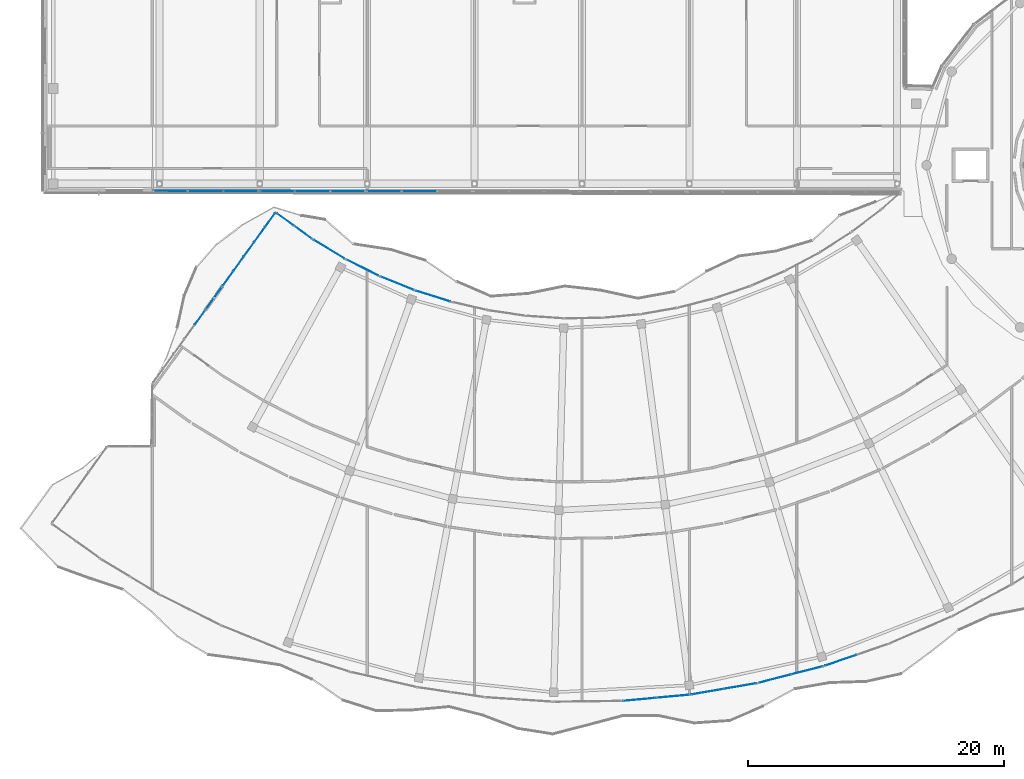
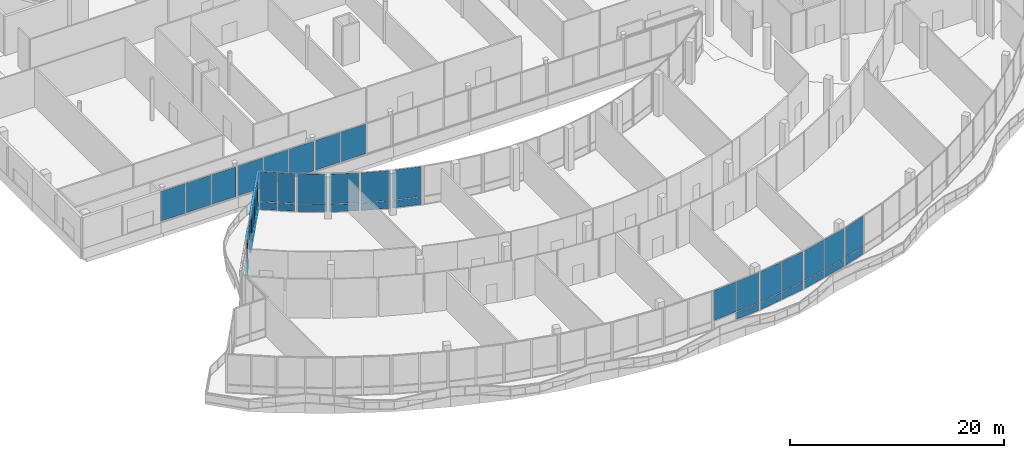
# One storey, part 115 of 155: 53 plates, 15 elements without a shape of their own.
"""IFC4 building model written with IfcOpenShell, lengths in metres."""

from ifc_helpers import new_model, si_unit, direction, frame, origin, origin_2d, place, context, subcontext, project, spatial, rectangle, extrude, material, layer, layer_set, type_object, element, aggregate, save


model = new_model("IFC4")

# Units and contexts
model_context = context("Model", 3, precision=1e-05, world=origin(), true_north=direction((0.0, 1.0)))
body_context = subcontext(model_context, "Body", "Model", "MODEL_VIEW")
ifc_project = project(units=[si_unit("LENGTHUNIT", "METRE"), si_unit("AREAUNIT", "SQUARE_METRE"), si_unit("VOLUMEUNIT", "CUBIC_METRE"), si_unit("PLANEANGLEUNIT", "RADIAN"), si_unit("MASSUNIT", "GRAM", prefix="KILO")], contexts=[model_context])

# Site, building, storey
site_placement = place(None, origin())
site = spatial("IfcSite", under=ifc_project, at=site_placement, CompositionType="ELEMENT")
building_placement = place(site_placement, origin())
building = spatial("IfcBuilding", under=site, at=building_placement, Name="Selatvlak General Hospital", CompositionType="ELEMENT")
storey_placement = place(building_placement, frame((0.0, 0.0, 10.199951171875)))
storey = spatial("IfcBuildingStorey", under=building, at=storey_placement, Name="L02", CompositionType="ELEMENT", Elevation=10.199951171875)

# Curtain wall, plates
ifc_material = material(Name="Solar-control Low-E double glazing", Category="glass")
curtain_wall_type_1 = type_object("IfcCurtainWallType", Name="CW-CW-02", PredefinedType="USERDEFINED", material=ifc_material)
curtain_wall_1_placement = place(storey_placement, origin())
curtain_wall_1 = element("IfcCurtainWall", 1, at=curtain_wall_1_placement, inside=storey, type_object=curtain_wall_type_1, Name="Glazed facade curtain wall CW-L02-0302", ObjectType="UNITISED CURTAIN WALL", PredefinedType="USERDEFINED")
ifc_layer = layer(ifc_material, 0.028076171875, Name="Solar-control Low-E double glazing", Category="glass")
ifc_layer_set = layer_set([ifc_layer], Name="Solar-control Low-E double glazing")
plate_type = type_object("IfcPlateType", Name="CWP-01", PredefinedType="CURTAIN_PANEL", material=ifc_layer_set)
plate_1_placement = place(storey_placement, frame((76.651123046875, 15.278564453125, 0.06494140625), z_axis=(0.0, 0.0, 1.0), x_axis=(-0.945848129563, -0.324609481996, 0.0)))
plate_1 = element("IfcPlate", 2, at=plate_1_placement, type_object=plate_type, Name="CW-02 panel 2.1", PredefinedType="CURTAIN_PANEL", context=body_context, shape_type="SweptSolid", body=[
    extrude(rectangle(XDim=2.547119140625, YDim=0.028076171875, at=origin_2d()), origin(), (0.0, 0.0, 1.0), 0.8525390625),
])
plate_2_placement = place(storey_placement, frame((76.651123046875, 15.278564453125, 0.982421875), z_axis=(0.0, 0.0, 1.0), x_axis=(-0.945848129563, -0.324609481996, 0.0)))
plate_2 = element("IfcPlate", 3, at=plate_2_placement, type_object=plate_type, Name="CW-02 panel 2.2", PredefinedType="CURTAIN_PANEL", context=body_context, shape_type="SweptSolid", body=[
    extrude(rectangle(XDim=2.547119140625, YDim=0.028076171875, at=origin_2d()), origin(), (0.0, 0.0, 1.0), 3.41259765625),
])
aggregate(curtain_wall_1, [plate_1, plate_2])

curtain_wall_type_2 = type_object("IfcCurtainWallType", Name="CW-CW-01", PredefinedType="USERDEFINED", material=ifc_material)
curtain_wall_2_placement = place(storey_placement, origin())
curtain_wall_2 = element("IfcCurtainWall", 4, at=curtain_wall_2_placement, inside=storey, type_object=curtain_wall_type_2, Name="Glazed facade curtain wall CW-L02-0303", ObjectType="UNITISED CURTAIN WALL", PredefinedType="USERDEFINED")
plate_3_placement = place(storey_placement, frame((74.012939453125, 14.49072265625, 0.06494140625), z_axis=(0.0, 0.0, 1.0), x_axis=(-0.968620644098, -0.248543854938, 0.0)))
plate_3 = element("IfcPlate", 5, at=plate_3_placement, type_object=plate_type, Name="CW-01 panel 1.1", PredefinedType="CURTAIN_PANEL", context=body_context, shape_type="SweptSolid", body=[
    extrude(rectangle(XDim=2.5439453125, YDim=0.028076171875, at=origin_2d()), origin(), (0.0, 0.0, 1.0), 0.8525390625),
])
plate_4_placement = place(storey_placement, frame((74.012939453125, 14.49072265625, 0.982421875), z_axis=(0.0, 0.0, 1.0), x_axis=(-0.968620644098, -0.248543854938, 0.0)))
plate_4 = element("IfcPlate", 6, at=plate_4_placement, type_object=plate_type, Name="CW-01 panel 1.2", PredefinedType="CURTAIN_PANEL", context=body_context, shape_type="SweptSolid", body=[
    extrude(rectangle(XDim=2.5439453125, YDim=0.028076171875, at=origin_2d()), origin(), (0.0, 0.0, 1.0), 3.41259765625),
])
plate_5_placement = place(storey_placement, frame((71.486083984375, 13.84228515625, 0.06494140625), z_axis=(0.0, 0.0, 1.0), x_axis=(-0.968620644098, -0.248543854938, 0.0)))
plate_5 = element("IfcPlate", 7, at=plate_5_placement, type_object=plate_type, Name="CW-01 panel 2.1", PredefinedType="CURTAIN_PANEL", context=body_context, shape_type="SweptSolid", body=[
    extrude(rectangle(XDim=2.5439453125, YDim=0.028076171875, at=origin_2d()), origin(), (0.0, 0.0, 1.0), 0.8525390625),
])
plate_6_placement = place(storey_placement, frame((71.486083984375, 13.84228515625, 0.982421875), z_axis=(0.0, 0.0, 1.0), x_axis=(-0.968620644098, -0.248543854938, 0.0)))
plate_6 = element("IfcPlate", 8, at=plate_6_placement, type_object=plate_type, Name="CW-01 panel 2.2", PredefinedType="CURTAIN_PANEL", context=body_context, shape_type="SweptSolid", body=[
    extrude(rectangle(XDim=2.5439453125, YDim=0.028076171875, at=origin_2d()), origin(), (0.0, 0.0, 1.0), 3.41259765625),
])
aggregate(curtain_wall_2, [plate_3, plate_4, plate_5, plate_6])

curtain_wall_3_placement = place(storey_placement, origin())
curtain_wall_3 = element("IfcCurtainWall", 9, at=curtain_wall_3_placement, inside=storey, type_object=curtain_wall_type_1, Name="Glazed facade curtain wall CW-L02-0304", ObjectType="UNITISED CURTAIN WALL", PredefinedType="USERDEFINED")
plate_7_placement = place(storey_placement, frame((68.7939453125, 13.265380859375, 0.06494140625), z_axis=(0.0, 0.0, 1.0), x_axis=(-0.985299104881, -0.170838151242, 0.0)))
plate_7 = element("IfcPlate", 10, at=plate_7_placement, type_object=plate_type, Name="CW-02 panel 1.1", PredefinedType="CURTAIN_PANEL", context=body_context, shape_type="SweptSolid", body=[
    extrude(rectangle(XDim=2.54541015625, YDim=0.028076171875, at=origin_2d()), origin(), (0.0, 0.0, 1.0), 0.8525390625),
])
plate_8_placement = place(storey_placement, frame((68.7939453125, 13.265380859375, 0.982421875), z_axis=(0.0, 0.0, 1.0), x_axis=(-0.985299104881, -0.170838151242, 0.0)))
plate_8 = element("IfcPlate", 11, at=plate_8_placement, type_object=plate_type, Name="CW-02 panel 1.2", PredefinedType="CURTAIN_PANEL", context=body_context, shape_type="SweptSolid", body=[
    extrude(rectangle(XDim=2.54541015625, YDim=0.028076171875, at=origin_2d()), origin(), (0.0, 0.0, 1.0), 3.41259765625),
])
plate_9_placement = place(storey_placement, frame((66.221923828125, 12.819580078125, 0.06494140625), z_axis=(0.0, 0.0, 1.0), x_axis=(-0.985299104881, -0.170838151242, 0.0)))
plate_9 = element("IfcPlate", 12, at=plate_9_placement, type_object=plate_type, Name="CW-02 panel 2.1", PredefinedType="CURTAIN_PANEL", context=body_context, shape_type="SweptSolid", body=[
    extrude(rectangle(XDim=2.54541015625, YDim=0.028076171875, at=origin_2d()), origin(), (0.0, 0.0, 1.0), 0.8525390625),
])
plate_10_placement = place(storey_placement, frame((66.221923828125, 12.819580078125, 0.982421875), z_axis=(0.0, 0.0, 1.0), x_axis=(-0.985299104881, -0.170838151242, 0.0)))
plate_10 = element("IfcPlate", 13, at=plate_10_placement, type_object=plate_type, Name="CW-02 panel 2.2", PredefinedType="CURTAIN_PANEL", context=body_context, shape_type="SweptSolid", body=[
    extrude(rectangle(XDim=2.54541015625, YDim=0.028076171875, at=origin_2d()), origin(), (0.0, 0.0, 1.0), 3.41259765625),
])
aggregate(curtain_wall_3, [plate_7, plate_8, plate_9, plate_10])

curtain_wall_4_placement = place(storey_placement, origin())
curtain_wall_4 = element("IfcCurtainWall", 14, at=curtain_wall_4_placement, inside=storey, type_object=curtain_wall_type_2, Name="Glazed facade curtain wall CW-L02-0305", ObjectType="UNITISED CURTAIN WALL", PredefinedType="USERDEFINED")
plate_11_placement = place(storey_placement, frame((63.491455078125, 12.45849609375, 0.06494140625), z_axis=(0.0, 0.0, 1.0), x_axis=(-0.995731988381, -0.092291967773, 0.0)))
plate_11 = element("IfcPlate", 15, at=plate_11_placement, type_object=plate_type, Name="CW-01 panel 1.1", PredefinedType="CURTAIN_PANEL", context=body_context, shape_type="SweptSolid", body=[
    extrude(rectangle(XDim=2.54638671875, YDim=0.028076171875, at=origin_2d()), origin(), (0.0, 0.0, 1.0), 0.8525390625),
])
plate_12_placement = place(storey_placement, frame((63.491455078125, 12.45849609375, 0.982421875), z_axis=(0.0, 0.0, 1.0), x_axis=(-0.995731988381, -0.092291967773, 0.0)))
plate_12 = element("IfcPlate", 16, at=plate_12_placement, type_object=plate_type, Name="CW-01 panel 1.2", PredefinedType="CURTAIN_PANEL", context=body_context, shape_type="SweptSolid", body=[
    extrude(rectangle(XDim=2.54638671875, YDim=0.028076171875, at=origin_2d()), origin(), (0.0, 0.0, 1.0), 3.41259765625),
])
plate_13_placement = place(storey_placement, frame((60.891357421875, 12.217529296875, 0.982421875), z_axis=(0.0, 0.0, 1.0), x_axis=(-0.995731988381, -0.092291967773, 0.0)))
plate_13 = element("IfcPlate", 17, at=plate_13_placement, type_object=plate_type, Name="CW-01 panel 2.2", PredefinedType="CURTAIN_PANEL", context=body_context, shape_type="SweptSolid", body=[
    extrude(rectangle(XDim=2.54638671875, YDim=0.028076171875, at=origin_2d()), origin(), (0.0, 0.0, 1.0), 3.41259765625),
])
aggregate(curtain_wall_4, [plate_11, plate_12, plate_13])

curtain_wall_5_placement = place(storey_placement, origin())
curtain_wall_5 = element("IfcCurtainWall", 18, at=curtain_wall_5_placement, inside=storey, type_object=curtain_wall_type_1, Name="Glazed facade curtain wall CW-L02-0318", ObjectType="UNITISED CURTAIN WALL", PredefinedType="USERDEFINED")
plate_14_placement = place(storey_placement, frame((27.29638671875, 43.158203125, 2.38525390625), z_axis=(0.0, 0.0, 1.0), x_axis=(0.583236596029, 0.812302328602, 0.0)))
plate_14 = element("IfcPlate", 19, at=plate_14_placement, type_object=plate_type, Name="CW-02 panel 1.1", PredefinedType="CURTAIN_PANEL", context=body_context, shape_type="SweptSolid", body=[
    extrude(rectangle(XDim=1.03759765625, YDim=0.028076171875, at=origin_2d()), origin(), (0.0, 0.0, 1.0), 2.010009765625),
])
plate_15_placement = place(storey_placement, frame((27.939453125, 44.0537109375, 2.38525390625), z_axis=(0.0, 0.0, 1.0), x_axis=(0.583236596029, 0.812302328602, 0.0)))
plate_15 = element("IfcPlate", 20, at=plate_15_placement, type_object=plate_type, Name="CW-02 panel 2.1", PredefinedType="CURTAIN_PANEL", context=body_context, shape_type="SweptSolid", body=[
    extrude(rectangle(XDim=1.03759765625, YDim=0.028076171875, at=origin_2d()), origin(), (0.0, 0.0, 1.0), 2.010009765625),
])
aggregate(curtain_wall_5, [plate_14, plate_15])

curtain_wall_6_placement = place(storey_placement, origin())
curtain_wall_6 = element("IfcCurtainWall", 21, at=curtain_wall_6_placement, inside=storey, type_object=curtain_wall_type_2, Name="Glazed facade curtain wall CW-L02-0319", ObjectType="UNITISED CURTAIN WALL", PredefinedType="USERDEFINED")
plate_16_placement = place(storey_placement, frame((26.5185546875, 42.076904296875, 0.06494140625), z_axis=(0.0, 0.0, 1.0), x_axis=(0.583929474196, 0.81180439095, 0.0)))
plate_16 = element("IfcPlate", 22, at=plate_16_placement, type_object=plate_type, Name="CW-01 panel 5.1", PredefinedType="CURTAIN_PANEL", context=body_context, shape_type="SweptSolid", body=[
    extrude(rectangle(XDim=1.306884765625, YDim=0.028076171875, at=origin_2d()), origin(), (0.0, 0.0, 1.0), 0.802490234375),
])
plate_17_placement = place(storey_placement, frame((26.5185546875, 42.076904296875, 0.9326171875), z_axis=(0.0, 0.0, 1.0), x_axis=(0.583929474196, 0.81180439095, 0.0)))
plate_17 = element("IfcPlate", 23, at=plate_17_placement, type_object=plate_type, Name="CW-01 panel 5.2", PredefinedType="CURTAIN_PANEL", context=body_context, shape_type="SweptSolid", body=[
    extrude(rectangle(XDim=1.306884765625, YDim=0.028076171875, at=origin_2d()), origin(), (0.0, 0.0, 1.0), 2.844970703125),
])
plate_18_placement = place(storey_placement, frame((26.5185546875, 42.076904296875, 3.8427734375), z_axis=(0.0, 0.0, 1.0), x_axis=(0.583929474196, 0.81180439095, 0.0)))
plate_18 = element("IfcPlate", 24, at=plate_18_placement, type_object=plate_type, Name="CW-01 panel 5.3", PredefinedType="CURTAIN_PANEL", context=body_context, shape_type="SweptSolid", body=[
    extrude(rectangle(XDim=1.306884765625, YDim=0.028076171875, at=origin_2d()), origin(), (0.0, 0.0, 1.0), 0.552490234375),
])
aggregate(curtain_wall_6, [plate_16, plate_17, plate_18])

curtain_wall_7_placement = place(storey_placement, origin())
curtain_wall_7 = element("IfcCurtainWall", 25, at=curtain_wall_7_placement, inside=storey, type_object=curtain_wall_type_2, Name="Glazed facade curtain wall CW-L02-0320", ObjectType="UNITISED CURTAIN WALL", PredefinedType="USERDEFINED")
plate_19_placement = place(storey_placement, frame((28.720458984375, 45.139404296875, 0.06494140625), z_axis=(0.0, 0.0, 1.0), x_axis=(0.583883694145, 0.811837318502, 0.0)))
plate_19 = element("IfcPlate", 26, at=plate_19_placement, type_object=plate_type, Name="CW-01 panel 1.1", PredefinedType="CURTAIN_PANEL", context=body_context, shape_type="SweptSolid", body=[
    extrude(rectangle(XDim=1.31689453125, YDim=0.028076171875, at=origin_2d()), origin(), (0.0, 0.0, 1.0), 0.802490234375),
])
plate_20_placement = place(storey_placement, frame((28.720458984375, 45.139404296875, 0.9326171875), z_axis=(0.0, 0.0, 1.0), x_axis=(0.583883694145, 0.811837318502, 0.0)))
plate_20 = element("IfcPlate", 27, at=plate_20_placement, type_object=plate_type, Name="CW-01 panel 1.2", PredefinedType="CURTAIN_PANEL", context=body_context, shape_type="SweptSolid", body=[
    extrude(rectangle(XDim=1.31689453125, YDim=0.028076171875, at=origin_2d()), origin(), (0.0, 0.0, 1.0), 2.844970703125),
])
plate_21_placement = place(storey_placement, frame((28.720458984375, 45.139404296875, 3.8427734375), z_axis=(0.0, 0.0, 1.0), x_axis=(0.583883694145, 0.811837318502, 0.0)))
plate_21 = element("IfcPlate", 28, at=plate_21_placement, type_object=plate_type, Name="CW-01 panel 1.3", PredefinedType="CURTAIN_PANEL", context=body_context, shape_type="SweptSolid", body=[
    extrude(rectangle(XDim=1.31689453125, YDim=0.028076171875, at=origin_2d()), origin(), (0.0, 0.0, 1.0), 0.552490234375),
])
plate_22_placement = place(storey_placement, frame((29.53662109375, 46.2744140625, 0.06494140625), z_axis=(0.0, 0.0, 1.0), x_axis=(0.583883694145, 0.811837318502, 0.0)))
plate_22 = element("IfcPlate", 29, at=plate_22_placement, type_object=plate_type, Name="CW-01 panel 2.1", PredefinedType="CURTAIN_PANEL", context=body_context, shape_type="SweptSolid", body=[
    extrude(rectangle(XDim=1.349365234375, YDim=0.028076171875, at=origin_2d()), origin(), (0.0, 0.0, 1.0), 0.802490234375),
])
plate_23_placement = place(storey_placement, frame((29.53662109375, 46.2744140625, 0.9326171875), z_axis=(0.0, 0.0, 1.0), x_axis=(0.583883694145, 0.811837318502, 0.0)))
plate_23 = element("IfcPlate", 30, at=plate_23_placement, type_object=plate_type, Name="CW-01 panel 2.2", PredefinedType="CURTAIN_PANEL", context=body_context, shape_type="SweptSolid", body=[
    extrude(rectangle(XDim=1.349365234375, YDim=0.028076171875, at=origin_2d()), origin(), (0.0, 0.0, 1.0), 2.844970703125),
])
plate_24_placement = place(storey_placement, frame((29.53662109375, 46.2744140625, 3.8427734375), z_axis=(0.0, 0.0, 1.0), x_axis=(0.583883694145, 0.811837318502, 0.0)))
plate_24 = element("IfcPlate", 31, at=plate_24_placement, type_object=plate_type, Name="CW-01 panel 2.3", PredefinedType="CURTAIN_PANEL", context=body_context, shape_type="SweptSolid", body=[
    extrude(rectangle(XDim=1.349365234375, YDim=0.028076171875, at=origin_2d()), origin(), (0.0, 0.0, 1.0), 0.552490234375),
])
plate_25_placement = place(storey_placement, frame((30.362548828125, 47.422607421875, 0.06494140625), z_axis=(0.0, 0.0, 1.0), x_axis=(0.583883694145, 0.811837318502, 0.0)))
plate_25 = element("IfcPlate", 32, at=plate_25_placement, type_object=plate_type, Name="CW-01 panel 3.1", PredefinedType="CURTAIN_PANEL", context=body_context, shape_type="SweptSolid", body=[
    extrude(rectangle(XDim=1.349365234375, YDim=0.028076171875, at=origin_2d()), origin(), (0.0, 0.0, 1.0), 0.802490234375),
])
plate_26_placement = place(storey_placement, frame((30.362548828125, 47.422607421875, 0.9326171875), z_axis=(0.0, 0.0, 1.0), x_axis=(0.583883694145, 0.811837318502, 0.0)))
plate_26 = element("IfcPlate", 33, at=plate_26_placement, type_object=plate_type, Name="CW-01 panel 3.2", PredefinedType="CURTAIN_PANEL", context=body_context, shape_type="SweptSolid", body=[
    extrude(rectangle(XDim=1.349365234375, YDim=0.028076171875, at=origin_2d()), origin(), (0.0, 0.0, 1.0), 2.844970703125),
])
plate_27_placement = place(storey_placement, frame((30.362548828125, 47.422607421875, 3.8427734375), z_axis=(0.0, 0.0, 1.0), x_axis=(0.583883694145, 0.811837318502, 0.0)))
plate_27 = element("IfcPlate", 34, at=plate_27_placement, type_object=plate_type, Name="CW-01 panel 3.3", PredefinedType="CURTAIN_PANEL", context=body_context, shape_type="SweptSolid", body=[
    extrude(rectangle(XDim=1.349365234375, YDim=0.028076171875, at=origin_2d()), origin(), (0.0, 0.0, 1.0), 0.552490234375),
])
plate_28_placement = place(storey_placement, frame((31.188232421875, 48.57080078125, 0.06494140625), z_axis=(0.0, 0.0, 1.0), x_axis=(0.583883694145, 0.811837318502, 0.0)))
plate_28 = element("IfcPlate", 35, at=plate_28_placement, type_object=plate_type, Name="CW-01 panel 4.1", PredefinedType="CURTAIN_PANEL", context=body_context, shape_type="SweptSolid", body=[
    extrude(rectangle(XDim=1.349365234375, YDim=0.028076171875, at=origin_2d()), origin(), (0.0, 0.0, 1.0), 0.802490234375),
])
plate_29_placement = place(storey_placement, frame((31.188232421875, 48.57080078125, 0.9326171875), z_axis=(0.0, 0.0, 1.0), x_axis=(0.583883694145, 0.811837318502, 0.0)))
plate_29 = element("IfcPlate", 36, at=plate_29_placement, type_object=plate_type, Name="CW-01 panel 4.2", PredefinedType="CURTAIN_PANEL", context=body_context, shape_type="SweptSolid", body=[
    extrude(rectangle(XDim=1.349365234375, YDim=0.028076171875, at=origin_2d()), origin(), (0.0, 0.0, 1.0), 2.844970703125),
])
plate_30_placement = place(storey_placement, frame((31.188232421875, 48.57080078125, 3.8427734375), z_axis=(0.0, 0.0, 1.0), x_axis=(0.583883694145, 0.811837318502, 0.0)))
plate_30 = element("IfcPlate", 37, at=plate_30_placement, type_object=plate_type, Name="CW-01 panel 4.3", PredefinedType="CURTAIN_PANEL", context=body_context, shape_type="SweptSolid", body=[
    extrude(rectangle(XDim=1.349365234375, YDim=0.028076171875, at=origin_2d()), origin(), (0.0, 0.0, 1.0), 0.552490234375),
])
plate_31_placement = place(storey_placement, frame((32.004638671875, 49.705810546875, 0.06494140625), z_axis=(0.0, 0.0, 1.0), x_axis=(0.583883694145, 0.811837318502, 0.0)))
plate_31 = element("IfcPlate", 38, at=plate_31_placement, type_object=plate_type, Name="CW-01 panel 5.1", PredefinedType="CURTAIN_PANEL", context=body_context, shape_type="SweptSolid", body=[
    extrude(rectangle(XDim=1.31689453125, YDim=0.028076171875, at=origin_2d()), origin(), (0.0, 0.0, 1.0), 0.802490234375),
])
plate_32_placement = place(storey_placement, frame((32.004638671875, 49.705810546875, 0.9326171875), z_axis=(0.0, 0.0, 1.0), x_axis=(0.583883694145, 0.811837318502, 0.0)))
plate_32 = element("IfcPlate", 39, at=plate_32_placement, type_object=plate_type, Name="CW-01 panel 5.2", PredefinedType="CURTAIN_PANEL", context=body_context, shape_type="SweptSolid", body=[
    extrude(rectangle(XDim=1.31689453125, YDim=0.028076171875, at=origin_2d()), origin(), (0.0, 0.0, 1.0), 2.844970703125),
])
plate_33_placement = place(storey_placement, frame((32.004638671875, 49.705810546875, 3.8427734375), z_axis=(0.0, 0.0, 1.0), x_axis=(0.583883694145, 0.811837318502, 0.0)))
plate_33 = element("IfcPlate", 40, at=plate_33_placement, type_object=plate_type, Name="CW-01 panel 5.3", PredefinedType="CURTAIN_PANEL", context=body_context, shape_type="SweptSolid", body=[
    extrude(rectangle(XDim=1.31689453125, YDim=0.028076171875, at=origin_2d()), origin(), (0.0, 0.0, 1.0), 0.552490234375),
])
aggregate(curtain_wall_7, [plate_19, plate_20, plate_21, plate_22, plate_23, plate_24, plate_25, plate_26, plate_27, plate_28, plate_29, plate_30, plate_31, plate_32, plate_33])

curtain_wall_8_placement = place(storey_placement, origin())
curtain_wall_8 = element("IfcCurtainWall", 41, at=curtain_wall_8_placement, inside=storey, type_object=curtain_wall_type_2, Name="Glazed facade curtain wall CW-L02-0321", ObjectType="UNITISED CURTAIN WALL", PredefinedType="USERDEFINED")
plate_34_placement = place(storey_placement, frame((33.208984375, 49.7451171875, 0.06494140625), z_axis=(0.0, 0.0, 1.0), x_axis=(0.810082716622, -0.58631560804, 0.0)))
plate_34 = element("IfcPlate", 42, at=plate_34_placement, type_object=plate_type, Name="CW-01 panel 1.1", PredefinedType="CURTAIN_PANEL", context=body_context, shape_type="SweptSolid", body=[
    extrude(rectangle(XDim=1.64990234375, YDim=0.028076171875, at=origin_2d()), origin(), (0.0, 0.0, 1.0), 0.8525390625),
])
plate_35_placement = place(storey_placement, frame((33.208984375, 49.7451171875, 0.982421875), z_axis=(0.0, 0.0, 1.0), x_axis=(0.810082716622, -0.58631560804, 0.0)))
plate_35 = element("IfcPlate", 43, at=plate_35_placement, type_object=plate_type, Name="CW-01 panel 1.2", PredefinedType="CURTAIN_PANEL", context=body_context, shape_type="SweptSolid", body=[
    extrude(rectangle(XDim=1.64990234375, YDim=0.028076171875, at=origin_2d()), origin(), (0.0, 0.0, 1.0), 3.41259765625),
])
plate_36_placement = place(storey_placement, frame((34.59814453125, 48.73974609375, 0.06494140625), z_axis=(0.0, 0.0, 1.0), x_axis=(0.810082716622, -0.58631560804, 0.0)))
plate_36 = element("IfcPlate", 44, at=plate_36_placement, type_object=plate_type, Name="CW-01 panel 2.1", PredefinedType="CURTAIN_PANEL", context=body_context, shape_type="SweptSolid", body=[
    extrude(rectangle(XDim=1.64990234375, YDim=0.028076171875, at=origin_2d()), origin(), (0.0, 0.0, 1.0), 0.8525390625),
])
plate_37_placement = place(storey_placement, frame((34.59814453125, 48.73974609375, 0.982421875), z_axis=(0.0, 0.0, 1.0), x_axis=(0.810082716622, -0.58631560804, 0.0)))
plate_37 = element("IfcPlate", 45, at=plate_37_placement, type_object=plate_type, Name="CW-01 panel 2.2", PredefinedType="CURTAIN_PANEL", context=body_context, shape_type="SweptSolid", body=[
    extrude(rectangle(XDim=1.64990234375, YDim=0.028076171875, at=origin_2d()), origin(), (0.0, 0.0, 1.0), 3.41259765625),
])
aggregate(curtain_wall_8, [plate_34, plate_35, plate_36, plate_37])

curtain_wall_9_placement = place(storey_placement, origin())
curtain_wall_9 = element("IfcCurtainWall", 46, at=curtain_wall_9_placement, inside=storey, type_object=curtain_wall_type_1, Name="Glazed facade curtain wall CW-L02-0322", ObjectType="UNITISED CURTAIN WALL", PredefinedType="USERDEFINED")
plate_38_placement = place(storey_placement, frame((36.62744140625, 47.425048828125, 0.06494140625), z_axis=(0.0, 0.0, 1.0), x_axis=(0.85575329293, -0.517384094885, 0.0)))
plate_38 = element("IfcPlate", 47, at=plate_38_placement, type_object=plate_type, Name="CW-02 panel 1.1", PredefinedType="CURTAIN_PANEL", context=body_context, shape_type="SweptSolid", body=[
    extrude(rectangle(XDim=2.769287109375, YDim=0.028076171875, at=origin_2d()), origin(), (0.0, 0.0, 1.0), 0.8525390625),
])
plate_39_placement = place(storey_placement, frame((36.62744140625, 47.425048828125, 0.982421875), z_axis=(0.0, 0.0, 1.0), x_axis=(0.85575329293, -0.517384094885, 0.0)))
plate_39 = element("IfcPlate", 48, at=plate_39_placement, type_object=plate_type, Name="CW-02 panel 1.2", PredefinedType="CURTAIN_PANEL", context=body_context, shape_type="SweptSolid", body=[
    extrude(rectangle(XDim=2.769287109375, YDim=0.028076171875, at=origin_2d()), origin(), (0.0, 0.0, 1.0), 3.41259765625),
])
aggregate(curtain_wall_9, [plate_38, plate_39])

curtain_wall_10_placement = place(storey_placement, origin())
curtain_wall_10 = element("IfcCurtainWall", 49, at=curtain_wall_10_placement, inside=storey, type_object=curtain_wall_type_2, Name="Glazed facade curtain wall CW-L02-0323", ObjectType="UNITISED CURTAIN WALL", PredefinedType="USERDEFINED")
plate_40_placement = place(storey_placement, frame((39.236572265625, 45.988525390625, 0.06494140625), z_axis=(0.0, 0.0, 1.0), x_axis=(0.894220339262, -0.447627060006, 0.0)))
plate_40 = element("IfcPlate", 50, at=plate_40_placement, type_object=plate_type, Name="CW-01 panel 1.1", PredefinedType="CURTAIN_PANEL", context=body_context, shape_type="SweptSolid", body=[
    extrude(rectangle(XDim=2.77197265625, YDim=0.028076171875, at=origin_2d()), origin(), (0.0, 0.0, 1.0), 0.8525390625),
])
plate_41_placement = place(storey_placement, frame((39.236572265625, 45.988525390625, 0.982421875), z_axis=(0.0, 0.0, 1.0), x_axis=(0.894220339262, -0.447627060006, 0.0)))
plate_41 = element("IfcPlate", 51, at=plate_41_placement, type_object=plate_type, Name="CW-01 panel 1.2", PredefinedType="CURTAIN_PANEL", context=body_context, shape_type="SweptSolid", body=[
    extrude(rectangle(XDim=2.77197265625, YDim=0.028076171875, at=origin_2d()), origin(), (0.0, 0.0, 1.0), 3.41259765625),
])
aggregate(curtain_wall_10, [plate_40, plate_41])

curtain_wall_11_placement = place(storey_placement, origin())
curtain_wall_11 = element("IfcCurtainWall", 52, at=curtain_wall_11_placement, inside=storey, type_object=curtain_wall_type_1, Name="Glazed facade curtain wall CW-L02-0324", ObjectType="UNITISED CURTAIN WALL", PredefinedType="USERDEFINED")
plate_42_placement = place(storey_placement, frame((41.951904296875, 44.762939453125, 0.06494140625), z_axis=(0.0, 0.0, 1.0), x_axis=(0.927043807949, -0.374953034584, 0.0)))
plate_42 = element("IfcPlate", 53, at=plate_42_placement, type_object=plate_type, Name="CW-02 panel 1.1", PredefinedType="CURTAIN_PANEL", context=body_context, shape_type="SweptSolid", body=[
    extrude(rectangle(XDim=2.771728515625, YDim=0.028076171875, at=origin_2d()), origin(), (0.0, 0.0, 1.0), 0.8525390625),
])
plate_43_placement = place(storey_placement, frame((41.951904296875, 44.762939453125, 0.982421875), z_axis=(0.0, 0.0, 1.0), x_axis=(0.927043807949, -0.374953034584, 0.0)))
plate_43 = element("IfcPlate", 54, at=plate_43_placement, type_object=plate_type, Name="CW-02 panel 1.2", PredefinedType="CURTAIN_PANEL", context=body_context, shape_type="SweptSolid", body=[
    extrude(rectangle(XDim=2.771728515625, YDim=0.028076171875, at=origin_2d()), origin(), (0.0, 0.0, 1.0), 3.41259765625),
])
aggregate(curtain_wall_11, [plate_42, plate_43])

curtain_wall_12_placement = place(storey_placement, origin())
curtain_wall_12 = element("IfcCurtainWall", 55, at=curtain_wall_12_placement, inside=storey, type_object=curtain_wall_type_2, Name="Glazed facade curtain wall CW-L02-0325", ObjectType="UNITISED CURTAIN WALL", PredefinedType="USERDEFINED")
plate_44_placement = place(storey_placement, frame((44.757568359375, 43.757080078125, 0.06494140625), z_axis=(0.0, 0.0, 1.0), x_axis=(0.953821840084, -0.300372930504, 0.0)))
plate_44 = element("IfcPlate", 56, at=plate_44_placement, type_object=plate_type, Name="CW-01 panel 1.1", PredefinedType="CURTAIN_PANEL", context=body_context, shape_type="SweptSolid", body=[
    extrude(rectangle(XDim=2.77294921875, YDim=0.028076171875, at=origin_2d()), origin(), (0.0, 0.0, 1.0), 0.8525390625),
])
plate_45_placement = place(storey_placement, frame((44.757568359375, 43.757080078125, 0.982421875), z_axis=(0.0, 0.0, 1.0), x_axis=(0.953821840084, -0.300372930504, 0.0)))
plate_45 = element("IfcPlate", 57, at=plate_45_placement, type_object=plate_type, Name="CW-01 panel 1.2", PredefinedType="CURTAIN_PANEL", context=body_context, shape_type="SweptSolid", body=[
    extrude(rectangle(XDim=2.77294921875, YDim=0.028076171875, at=origin_2d()), origin(), (0.0, 0.0, 1.0), 3.41259765625),
])
aggregate(curtain_wall_12, [plate_44, plate_45])

curtain_wall_13_placement = place(storey_placement, origin())
curtain_wall_13 = element("IfcCurtainWall", 58, at=curtain_wall_13_placement, inside=storey, type_object=curtain_wall_type_1, Name="Glazed facade curtain wall CW-L02-0343", ObjectType="UNITISED CURTAIN WALL", PredefinedType="USERDEFINED")
plate_46_placement = place(storey_placement, frame((43.68896484375, 51.96240234375, 1.0048828125), z_axis=(0.0, 0.0, 1.0), x_axis=(-0.99999835986, 0.001811153756, 0.0)))
plate_46 = element("IfcPlate", 59, at=plate_46_placement, type_object=plate_type, Name="CW-02 panel 2.1", PredefinedType="CURTAIN_PANEL", context=body_context, shape_type="SweptSolid", body=[
    extrude(rectangle(XDim=2.695556640625, YDim=0.028076171875, at=origin_2d()), origin(), (0.0, 0.0, 1.0), 3.389892578125),
])
plate_47_placement = place(storey_placement, frame((40.944580078125, 51.967529296875, 1.0048828125), z_axis=(0.0, 0.0, 1.0), x_axis=(-0.99999835986, 0.001811153756, 0.0)))
plate_47 = element("IfcPlate", 60, at=plate_47_placement, type_object=plate_type, Name="CW-02 panel 3.1", PredefinedType="CURTAIN_PANEL", context=body_context, shape_type="SweptSolid", body=[
    extrude(rectangle(XDim=2.6630859375, YDim=0.028076171875, at=origin_2d()), origin(), (0.0, 0.0, 1.0), 3.389892578125),
])
aggregate(curtain_wall_13, [plate_46, plate_47])

curtain_wall_14_placement = place(storey_placement, origin())
curtain_wall_14 = element("IfcCurtainWall", 61, at=curtain_wall_14_placement, inside=storey, type_object=curtain_wall_type_2, Name="Glazed facade curtain wall CW-L02-0344", ObjectType="UNITISED CURTAIN WALL", PredefinedType="USERDEFINED")
plate_48_placement = place(storey_placement, frame((38.071533203125, 51.972412109375, 1.0048828125), z_axis=(0.0, 0.0, 1.0), x_axis=(-0.99999835986, 0.001811153756, 0.0)))
plate_48 = element("IfcPlate", 62, at=plate_48_placement, type_object=plate_type, Name="CW-01 panel 1.1", PredefinedType="CURTAIN_PANEL", context=body_context, shape_type="SweptSolid", body=[
    extrude(rectangle(XDim=2.6630859375, YDim=0.028076171875, at=origin_2d()), origin(), (0.0, 0.0, 1.0), 3.389892578125),
])
plate_49_placement = place(storey_placement, frame((35.326904296875, 51.9775390625, 1.0048828125), z_axis=(0.0, 0.0, 1.0), x_axis=(-0.99999835986, 0.001811153756, 0.0)))
plate_49 = element("IfcPlate", 63, at=plate_49_placement, type_object=plate_type, Name="CW-01 panel 2.1", PredefinedType="CURTAIN_PANEL", context=body_context, shape_type="SweptSolid", body=[
    extrude(rectangle(XDim=2.695556640625, YDim=0.028076171875, at=origin_2d()), origin(), (0.0, 0.0, 1.0), 3.389892578125),
])
plate_50_placement = place(storey_placement, frame((32.58251953125, 51.982421875, 1.0048828125), z_axis=(0.0, 0.0, 1.0), x_axis=(-0.99999835986, 0.001811153756, 0.0)))
plate_50 = element("IfcPlate", 64, at=plate_50_placement, type_object=plate_type, Name="CW-01 panel 3.1", PredefinedType="CURTAIN_PANEL", context=body_context, shape_type="SweptSolid", body=[
    extrude(rectangle(XDim=2.6630859375, YDim=0.028076171875, at=origin_2d()), origin(), (0.0, 0.0, 1.0), 3.389892578125),
])
aggregate(curtain_wall_14, [plate_48, plate_49, plate_50])

curtain_wall_15_placement = place(storey_placement, origin())
curtain_wall_15 = element("IfcCurtainWall", 65, at=curtain_wall_15_placement, inside=storey, type_object=curtain_wall_type_1, Name="Glazed facade curtain wall CW-L02-0345", ObjectType="UNITISED CURTAIN WALL", PredefinedType="USERDEFINED")
plate_51_placement = place(storey_placement, frame((29.70947265625, 51.987548828125, 1.0048828125), z_axis=(0.0, 0.0, 1.0), x_axis=(-0.99999835986, 0.001811153756, 0.0)))
plate_51 = element("IfcPlate", 66, at=plate_51_placement, type_object=plate_type, Name="CW-02 panel 1.1", PredefinedType="CURTAIN_PANEL", context=body_context, shape_type="SweptSolid", body=[
    extrude(rectangle(XDim=2.6630859375, YDim=0.028076171875, at=origin_2d()), origin(), (0.0, 0.0, 1.0), 3.389892578125),
])
plate_52_placement = place(storey_placement, frame((26.965087890625, 51.992431640625, 1.0048828125), z_axis=(0.0, 0.0, 1.0), x_axis=(-0.99999835986, 0.001811153756, 0.0)))
plate_52 = element("IfcPlate", 67, at=plate_52_placement, type_object=plate_type, Name="CW-02 panel 2.1", PredefinedType="CURTAIN_PANEL", context=body_context, shape_type="SweptSolid", body=[
    extrude(rectangle(XDim=2.695556640625, YDim=0.028076171875, at=origin_2d()), origin(), (0.0, 0.0, 1.0), 3.389892578125),
])
plate_53_placement = place(storey_placement, frame((24.220703125, 51.99755859375, 1.0048828125), z_axis=(0.0, 0.0, 1.0), x_axis=(-0.99999835986, 0.001811153756, 0.0)))
plate_53 = element("IfcPlate", 68, at=plate_53_placement, type_object=plate_type, Name="CW-02 panel 3.1", PredefinedType="CURTAIN_PANEL", context=body_context, shape_type="SweptSolid", body=[
    extrude(rectangle(XDim=2.6630859375, YDim=0.028076171875, at=origin_2d()), origin(), (0.0, 0.0, 1.0), 3.389892578125),
])
aggregate(curtain_wall_15, [plate_51, plate_52, plate_53])

save(model, "model.ifc")
